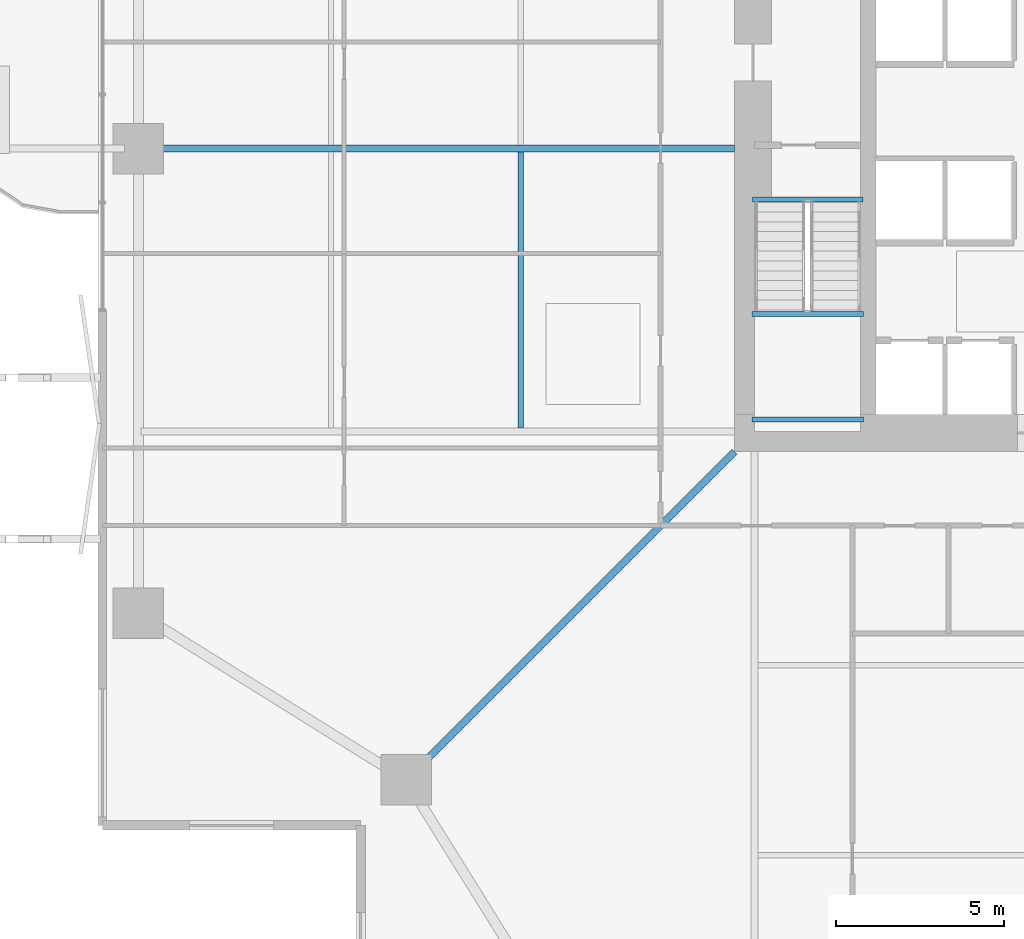
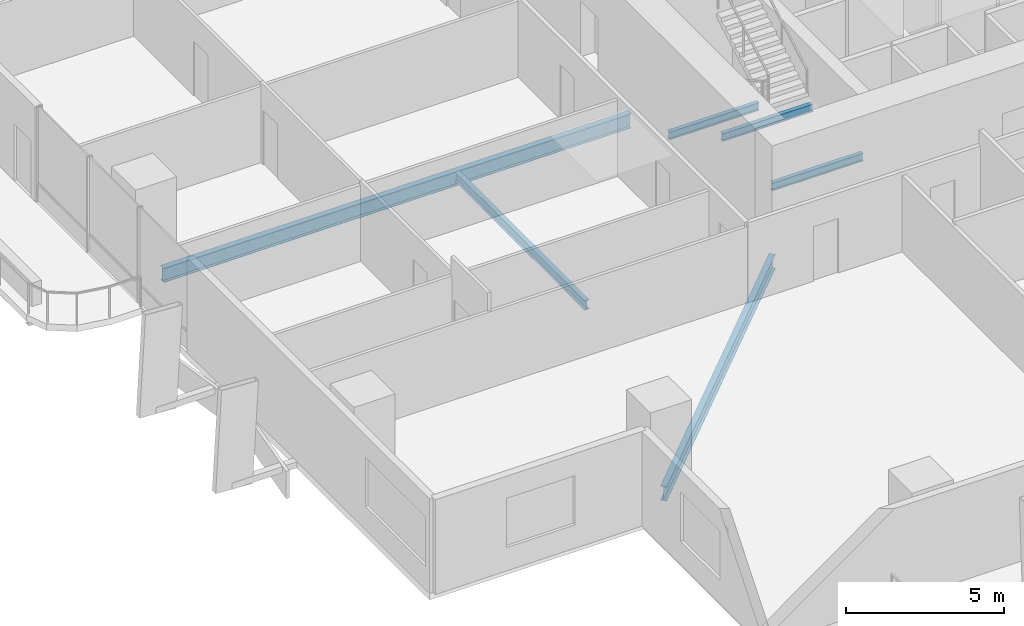
# One storey, part 5 of 23: 6 beams.
"""IFC4 building model written with IfcOpenShell, lengths in metres."""

from ifc_helpers import new_model, si_unit, direction, frame, origin, origin_2d, place, context, subcontext, project, spatial, i_section, extrude, material, material_profile, profile_set, type_object, element, save


model = new_model("IFC4")

# Units and contexts
model_context = context("Model", 3, precision=1e-05, world=origin(), true_north=direction((0.0, 1.0)))
body_context = subcontext(model_context, "Body", "Model", "MODEL_VIEW")
ifc_project = project(units=[si_unit("LENGTHUNIT", "METRE"), si_unit("AREAUNIT", "SQUARE_METRE"), si_unit("VOLUMEUNIT", "CUBIC_METRE"), si_unit("PLANEANGLEUNIT", "RADIAN"), si_unit("MASSUNIT", "GRAM", prefix="KILO")], contexts=[model_context])

# Site, building, storey
site_placement = place(None, origin())
site = spatial("IfcSite", under=ifc_project, at=site_placement, CompositionType="ELEMENT")
building_placement = place(site_placement, origin())
building = spatial("IfcBuilding", under=site, at=building_placement, Name="Belovzor Exchange Tower", CompositionType="ELEMENT")
storey_placement = place(building_placement, frame((0.0, 0.0, 53.39990234375)))
storey = spatial("IfcBuildingStorey", under=building, at=storey_placement, Name="L12", CompositionType="ELEMENT", Elevation=53.39990234375)

# Beams
ifc_material_1 = material(Name="Steel S355", Category="steel")
ifc_material_profile_1 = material_profile(ifc_material_1, i_section(OverallWidth=0.169921875, OverallDepth=0.360107421875, WebThickness=0.008056640625, FlangeThickness=0.0126953125, at=origin_2d()))
ifc_profile_set_1 = profile_set([ifc_material_profile_1], Name="Steel S355")
beam_type_1 = type_object("IfcBeamType", Name="Secondary Infill Floor Joist IPE 360", PredefinedType="BEAM", material=ifc_profile_set_1)
beam_1_placement = place(storey_placement, frame((13.455078125, 20.5048828125, -0.429931640625), z_axis=(0.0, 1.0, 0.0), x_axis=(-1.0, 0.0, 0.0)))
element("IfcBeam", 1, at=beam_1_placement, inside=storey, type_object=beam_type_1, Name="FJ-360 Secondary Infill Floor Joist IPE 360", PredefinedType="BEAM", context=body_context, shape_type="SweptSolid", body=[
    extrude(i_section(OverallWidth=0.169921875, OverallDepth=0.360107421875, WebThickness=0.008056640625, FlangeThickness=0.0126953125, at=origin_2d()), origin(), (0.0, 0.0, 1.0), 8.190185546875),
])
ifc_material_2 = material(Name="Steel S355", Category="steel")
ifc_material_profile_2 = material_profile(ifc_material_2, i_section(OverallWidth=0.14990234375, OverallDepth=0.300048828125, WebThickness=0.007080078125, FlangeThickness=0.0107421875, at=origin_2d()))
ifc_profile_set_2 = profile_set([ifc_material_profile_2], Name="Steel S355")
beam_type_2 = type_object("IfcBeamType", Name="Secondary Trim Floor Joist IPE 300", PredefinedType="BEAM", material=ifc_profile_set_2)
for number, where, z_axis, x_axis, name in (
    (2, (20.320068359375, 23.889892578125, 1.60009765625), (1.0, 0.0, 0.0), (0.0, 1.0, 0.0), "FJ-300 Secondary Trim Floor Joist IPE 300"),
    (3, (20.320068359375, 20.75, 1.60009765625), (1.0, 0.0, 0.0), (0.0, 1.0, 0.0), "FJ-300 Secondary Trim Floor Joist IPE 300"),
):
    element("IfcBeam", number, at=place(storey_placement, frame(where, z_axis=z_axis, x_axis=x_axis)), inside=storey, type_object=beam_type_2, Name=name, PredefinedType="BEAM", context=body_context, shape_type="SweptSolid", body=[
        extrude(i_section(OverallWidth=0.14990234375, OverallDepth=0.300048828125, WebThickness=0.007080078125, FlangeThickness=0.0107421875, at=origin_2d()), origin(), (0.0, 0.0, 1.0), 3.309814453125),
    ])
beam_2_placement = place(storey_placement, frame((20.340087890625, 27.280029296875, -0.39990234375), z_axis=(1.0, 0.0, 0.0), x_axis=(0.0, 1.0, 0.0)))
element("IfcBeam", 4, at=beam_2_placement, inside=storey, type_object=beam_type_2, Name="FJ-300 Secondary Trim Floor Joist IPE 300", PredefinedType="BEAM", context=body_context, shape_type="SweptSolid", body=[
    extrude(i_section(OverallWidth=0.14990234375, OverallDepth=0.300048828125, WebThickness=0.007080078125, FlangeThickness=0.0107421875, at=origin_2d()), origin(), (0.0, 0.0, 1.0), 3.27001953125),
])
ifc_material_3 = material(Name="Steel S355", Category="steel")
ifc_material_profile_3 = material_profile(ifc_material_3, i_section(OverallWidth=0.2099609375, OverallDepth=0.550048828125, WebThickness=0.010986328125, FlangeThickness=0.01708984375, at=origin_2d()))
ifc_profile_set_3 = profile_set([ifc_material_profile_3], Name="Steel S355")
beam_type_3 = type_object("IfcBeamType", Name="Zone 1 Radial Composite Floor Beam IPE 550", PredefinedType="BEAM", material=ifc_profile_set_3)
beam_3_placement = place(storey_placement, frame((19.800048828125, 28.800048828125, -0.52490234375), z_axis=(-1.0, 0.0, 0.0), x_axis=(0.0, -1.0, 0.0)))
element("IfcBeam", 5, at=beam_3_placement, inside=storey, type_object=beam_type_3, Name="FB-550 Zone 1 Radial Composite Floor Beam IPE 550", PredefinedType="BEAM", context=body_context, shape_type="SweptSolid", body=[
    extrude(i_section(OverallWidth=0.2099609375, OverallDepth=0.550048828125, WebThickness=0.010986328125, FlangeThickness=0.01708984375, at=origin_2d()), origin(), (0.0, 0.0, 1.0), 17.0400390625),
])
beam_4_placement = place(storey_placement, frame((19.800048828125, 19.800048828125, -0.52490234375), z_axis=(-0.707106781187, -0.707106781187, 0.0), x_axis=(0.707106781187, -0.707106781187, 0.0)))
element("IfcBeam", 6, at=beam_4_placement, inside=storey, type_object=beam_type_3, Name="FB-550 Zone 1 Radial Composite Floor Beam IPE 550", PredefinedType="BEAM", context=body_context, shape_type="SweptSolid", body=[
    extrude(i_section(OverallWidth=0.2099609375, OverallDepth=0.550048828125, WebThickness=0.010986328125, FlangeThickness=0.01708984375, at=origin_2d()), origin(), (0.0, 0.0, 1.0), 13.25830078125),
])

save(model, "model.ifc")
